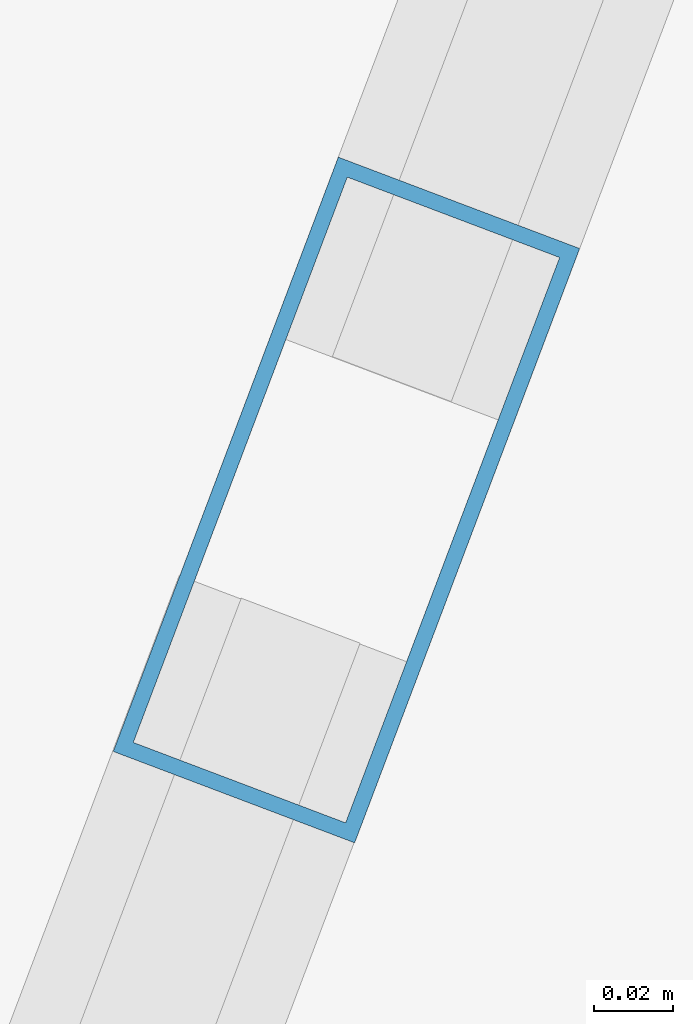
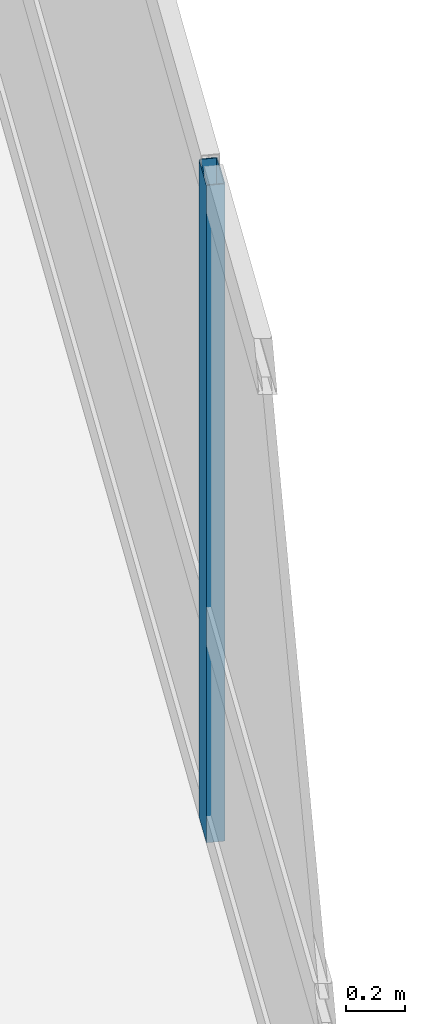
# One storey, part 14 of 25: 1 member, 1 element without a shape of its own.
"""IFC4 building model written with IfcOpenShell, lengths in metres."""

from ifc_helpers import new_model, si_unit, direction, frame, origin, origin_2d, place, context, subcontext, project, spatial, hollow_rectangle, extrude, material, layer, layer_set, material_profile, profile_set, type_object, element, aggregate, save


model = new_model("IFC4")

# Units and contexts
model_context = context("Model", 3, precision=1e-05, world=origin(), true_north=direction((0.0, 1.0)))
body_context = subcontext(model_context, "Body", "Model", "MODEL_VIEW")
ifc_project = project(units=[si_unit("LENGTHUNIT", "METRE"), si_unit("AREAUNIT", "SQUARE_METRE"), si_unit("VOLUMEUNIT", "CUBIC_METRE"), si_unit("PLANEANGLEUNIT", "RADIAN"), si_unit("MASSUNIT", "GRAM", prefix="KILO")], contexts=[model_context])

# Site, building, storey
site_placement = place(None, origin())
site = spatial("IfcSite", under=ifc_project, at=site_placement, CompositionType="ELEMENT")
building_placement = place(site_placement, origin())
building = spatial("IfcBuilding", under=site, at=building_placement, Name="Varnelok Gate Tower", CompositionType="ELEMENT")
storey_placement = place(building_placement, frame((0.0, 0.0, 91.0)))
storey = spatial("IfcBuildingStorey", under=building, at=storey_placement, Name="L22", CompositionType="ELEMENT", Elevation=91.0)

# Curtain wall, member
ifc_material = material(Name="Anodized Aluminum Alloy 6063-T6", Category="aluminium")
ifc_layer = layer(ifc_material, 0.179931640625)
ifc_layer_set = layer_set([ifc_layer], Name="Anodized Aluminum Alloy 6063-T6")
curtain_wall_type = type_object("IfcCurtainWallType", Name="CW3-HOTEL-VISION", PredefinedType="USERDEFINED", material=ifc_layer_set)
curtain_wall_placement = place(storey_placement, origin())
curtain_wall = element("IfcCurtainWall", 1, at=curtain_wall_placement, inside=storey, type_object=curtain_wall_type, Name="L22 East End Vision Curtain Wall", ObjectType="UNITISED CURTAIN WALL", PredefinedType="USERDEFINED")
ifc_material_profile = material_profile(ifc_material, hollow_rectangle(XDim=0.06494140625, YDim=0.159912109375, WallThickness=0.00390625, at=origin_2d()), Name="ALU160X65X4")
ifc_profile_set = profile_set([ifc_material_profile], Name="Anodized Aluminum Alloy 6063-T6")
member_type = type_object("IfcMemberType", Name="CW-MULL-160", PredefinedType="MULLION", material=ifc_profile_set)
member_placement = place(storey_placement, frame((77.8916015625, 22.26416015625, 0.0), z_axis=(0.0, 0.0, 1.0), x_axis=(0.935221323688, -0.354063660545, 0.0)))
member = element("IfcMember", 2, at=member_placement, type_object=member_type, Name="CW3 mullion 2", PredefinedType="MULLION", context=body_context, shape_type="SweptSolid", body=[
    extrude(hollow_rectangle(XDim=0.06494140625, YDim=0.159912109375, WallThickness=0.00390625, at=origin_2d()), origin(), (0.0, 0.0, 1.0), 2.72998046875),
])
aggregate(curtain_wall, [member])

save(model, "model.ifc")
